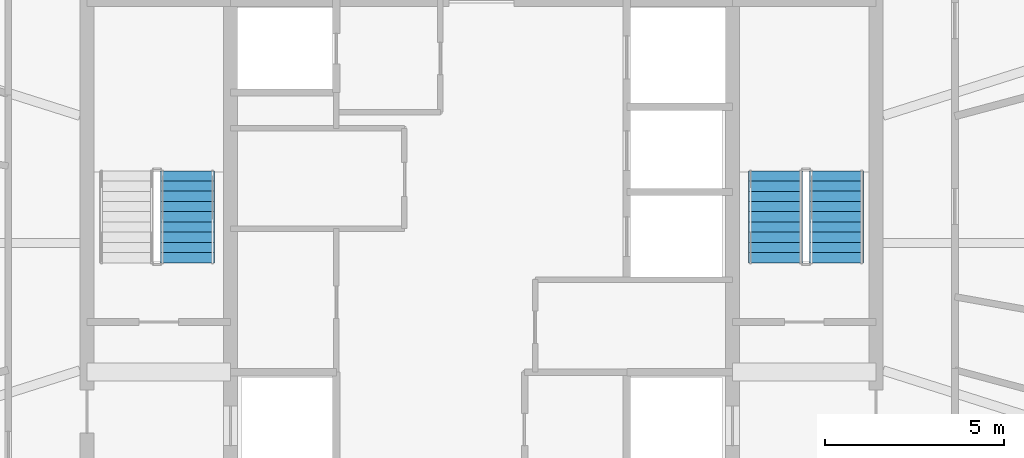
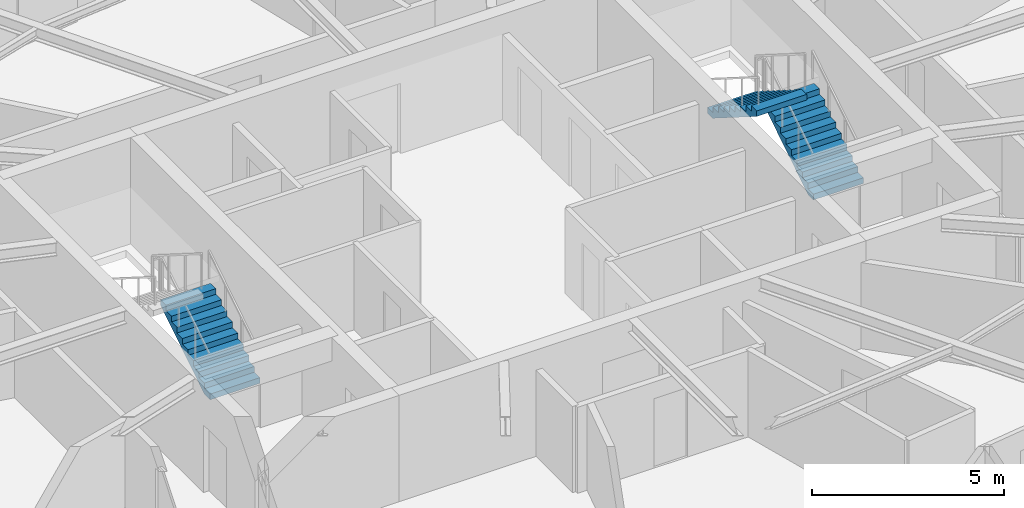
# One storey, part 20 of 23: 3 stair flights, 2 elements without a shape of their own.
"""IFC4 building model written with IfcOpenShell, lengths in metres."""

import ifcopenshell
import ifcopenshell.guid

model = None  # the IFC model being written
_history = None  # IfcOwnerHistory: only IFC2X3 demands one
_inside = {}  # id of a spatial element -> (the spatial element, [elements in it])
_under = {}  # id of a project, library or spatial element -> (it, [spatial elements below it])
_declared = {}  # id of a project -> (the project, [libraries it declares])
_typed = {}  # id of a type object -> (the type object, [elements of that type])
_made_of = {}  # id of a material, layer set ... -> (it, [elements and type objects made of it])


def new_model(schema):
    """Start an empty IFC model of exactly this schema.

    Asked for "IFC4X3", IfcOpenShell would pick the latest addendum, in which some entities
    have other attributes; the version numbers below select the first issue.
    IFC2X3 requires an IfcOwnerHistory on every rooted entity: one is made here for all.
    """
    global model, _history
    if schema == "IFC4X3":
        model = ifcopenshell.file(schema_version=(4, 3, 0, 0))
    else:
        model = ifcopenshell.file(schema=schema)
    _inside.clear()
    _under.clear()
    _declared.clear()
    _typed.clear()
    _made_of.clear()
    _history = None
    if model.schema == "IFC2X3":
        org = make("IfcOrganization", Name="unknown")
        user = make(
            "IfcPersonAndOrganization",
            ThePerson=make("IfcPerson", FamilyName="unknown"),
            TheOrganization=org,
        )
        app = make(
            "IfcApplication",
            ApplicationDeveloper=org,
            Version="unknown",
            ApplicationFullName="unknown",
            ApplicationIdentifier="unknown",
        )
        _history = make(
            "IfcOwnerHistory",
            OwningUser=user,
            OwningApplication=app,
            ChangeAction="ADDED",
            CreationDate=0,
        )
    return model


def make(cls, **values):
    """One entity of the class cls with the attributes given. An attribute that is None is left unset."""
    return model.create_entity(
        cls, **{name: value for name, value in values.items() if value is not None}
    )


def rooted(cls, **values):
    """An entity with a GlobalId (a new one), such as an element, a storey or a relation."""
    return make(cls, GlobalId=ifcopenshell.guid.new(), OwnerHistory=_history, **values)


def si_unit(unit_type, name, prefix=None):
    """IfcSIUnit, for example si_unit("LENGTHUNIT", "METRE", prefix="MILLI")."""
    return make("IfcSIUnit", UnitType=unit_type, Prefix=prefix, Name=name)


def assignment(units):
    """IfcUnitAssignment: the units of a project."""
    return None if units is None else make("IfcUnitAssignment", Units=units)


def point(xyz):
    """IfcCartesianPoint."""
    return None if xyz is None else make("IfcCartesianPoint", Coordinates=xyz)


def direction(xyz):
    """IfcDirection."""
    return None if xyz is None else make("IfcDirection", DirectionRatios=xyz)


def frame(location, z_axis=None, x_axis=None):
    """IfcAxis2Placement3D, a coordinate frame: its origin and axes. An axis left out is left unset."""
    return make(
        "IfcAxis2Placement3D",
        Location=point(location),
        Axis=direction(z_axis),
        RefDirection=direction(x_axis),
    )


def origin():
    """The frame at (0, 0, 0) with its axes left unset."""
    return frame((0.0, 0.0, 0.0))


def place(relative_to, where):
    """IfcLocalPlacement: puts the frame where relative to a parent placement (None: the world)."""
    return make(
        "IfcLocalPlacement", PlacementRelTo=relative_to, RelativePlacement=where
    )


def context(
    kind, dimensions, precision=None, world=None, true_north=None, identifier=None
):
    """IfcGeometricRepresentationContext, for example the 3D "Model" context."""
    return make(
        "IfcGeometricRepresentationContext",
        ContextIdentifier=identifier,
        ContextType=kind,
        CoordinateSpaceDimension=dimensions,
        Precision=precision,
        WorldCoordinateSystem=world,
        TrueNorth=true_north,
    )


def subcontext(parent, identifier, kind, view, scale=None):
    """IfcGeometricRepresentationSubContext, for example "Body" below "Model"."""
    return make(
        "IfcGeometricRepresentationSubContext",
        ContextIdentifier=identifier,
        ContextType=kind,
        ParentContext=parent,
        TargetScale=scale,
        TargetView=view,
    )


def project(units=None, contexts=None):
    """IfcProject with its units and contexts."""
    return rooted(
        "IfcProject",
        Name="project",
        RepresentationContexts=contexts,
        UnitsInContext=assignment(units),
    )


def spatial(cls, under=None, at=None, **own):
    """A site, building, storey or space (cls), placed at a placement, below another one or the project."""
    s = rooted(cls, ObjectPlacement=at, **own)
    if under is not None:
        _under.setdefault(under.id(), (under, []))[1].append(s)
    return s


def polyline(points):
    """IfcPolyline through the points."""
    return make("IfcPolyline", Points=[point(p) for p in points])


def outline(outer, holes=None, kind="AREA"):
    """IfcArbitraryClosedProfileDef: a profile drawn as a closed curve; with holes, ...WithVoids."""
    if holes is None:
        return make("IfcArbitraryClosedProfileDef", ProfileType=kind, OuterCurve=outer)
    return make(
        "IfcArbitraryProfileDefWithVoids",
        ProfileType=kind,
        OuterCurve=outer,
        InnerCurves=holes,
    )


def extrude(swept, where, along, depth):
    """IfcExtrudedAreaSolid: the profile swept, set in the frame where, extruded along a direction by depth."""
    return make(
        "IfcExtrudedAreaSolid",
        SweptArea=swept,
        Position=where,
        ExtrudedDirection=direction(along),
        Depth=depth,
    )


def shape(context_of_items, identifier, shape_type, items):
    """IfcShapeRepresentation: the items that make up one representation, for example the "Body"."""
    return make(
        "IfcShapeRepresentation",
        ContextOfItems=context_of_items,
        RepresentationIdentifier=identifier,
        RepresentationType=shape_type,
        Items=items,
    )


def material(Name=None, Category=None):
    """IfcMaterial."""
    return make("IfcMaterial", Name=Name, Category=Category)


def made_of(thing, what):
    """Note that an element or type object is made of a material, layer set ...; save() writes the relation."""
    if what is not None:
        _made_of.setdefault(what.id(), (what, []))[1].append(thing)
    return thing


def type_object(cls, material=None, **own):
    """A type object (cls), such as IfcWallType, which elements share."""
    return made_of(rooted(cls, **own), material)


def element(
    cls,
    number,
    at=None,
    inside=None,
    cuts=None,
    type_object=None,
    material=None,
    context=None,
    identifier="Body",
    shape_type=None,
    held_by="IfcProductDefinitionShape",
    body=None,
    shapes=None,
    **own,
):
    """One element of the class cls, such as IfcWall. Its Tag is "e" and its number.

    at: its placement. inside: the storey or other place that contains it. cuts: it is an
    opening in that element (IfcRelVoidsElement). A single representation is given by context,
    identifier, shape_type and body (its items); several are given by shapes. held_by: the class
    of the entity that holds the representations. save() writes the other relations.
    """
    e = rooted(cls, Tag="e%d" % number, ObjectPlacement=at, **own)
    if body is not None:
        shapes = [shape(context, identifier, shape_type, body)]
    if shapes is not None:
        e.Representation = make(held_by, Representations=shapes)
    if inside is not None:
        _inside.setdefault(inside.id(), (inside, []))[1].append(e)
    if cuts is not None:
        rooted(
            "IfcRelVoidsElement", RelatingBuildingElement=cuts, RelatedOpeningElement=e
        )
    if type_object is not None:
        _typed.setdefault(type_object.id(), (type_object, []))[1].append(e)
    return made_of(e, material)


def aggregate(whole, parts):
    """IfcRelAggregates: a whole, such as a stair, and the parts it consists of."""
    return rooted("IfcRelAggregates", RelatingObject=whole, RelatedObjects=parts)


def save(model, path):
    """Write the relations noted so far, then the file.

    IfcRelAggregates (storeys below a building ...), IfcRelContainedInSpatialStructure (elements
    in a storey), IfcRelDefinesByType, IfcRelAssociatesMaterial and IfcRelDeclares: one each for
    every whole, place, type object, material and project.
    """
    for whole, parts in _under.values():
        aggregate(whole, parts)
    for where, things in _inside.values():
        rooted(
            "IfcRelContainedInSpatialStructure",
            RelatedElements=things,
            RelatingStructure=where,
        )
    for kind, things in _typed.values():
        rooted("IfcRelDefinesByType", RelatedObjects=things, RelatingType=kind)
    for what, things in _made_of.values():
        rooted("IfcRelAssociatesMaterial", RelatedObjects=things, RelatingMaterial=what)
    for by, libraries in _declared.values():
        rooted("IfcRelDeclares", RelatingContext=by, RelatedDefinitions=libraries)
    model.write(path)


model = new_model("IFC4")

# Units and contexts
model_context = context("Model", 3, precision=1e-05, world=origin(), true_north=direction((0.0, 1.0)))
body_context = subcontext(model_context, "Body", "Model", "MODEL_VIEW")
ifc_project = project(units=[si_unit("LENGTHUNIT", "METRE"), si_unit("AREAUNIT", "SQUARE_METRE"), si_unit("VOLUMEUNIT", "CUBIC_METRE"), si_unit("PLANEANGLEUNIT", "RADIAN"), si_unit("MASSUNIT", "GRAM", prefix="KILO")], contexts=[model_context])

# Site, building, storey
site_placement = place(None, origin())
site = spatial("IfcSite", under=ifc_project, at=site_placement, CompositionType="ELEMENT")
building_placement = place(site_placement, origin())
building = spatial("IfcBuilding", under=site, at=building_placement, Name="Sarneth Arch Tower", CompositionType="ELEMENT")
storey_placement = place(building_placement, frame((0.0, 0.0, 262.199951171875)))
storey = spatial("IfcBuildingStorey", under=building, at=storey_placement, Name="L67", CompositionType="ELEMENT", Elevation=262.199951171875)

# Stair, stair flight
ifc_material_1 = material(Name="Concrete C50/60", Category="concrete")
stair_type = type_object("IfcStairType", Name="STAIR-CORE-RC", PredefinedType="HALF_TURN_STAIR", material=ifc_material_1)
stair_1_placement = place(storey_placement, origin())
stair_1 = element("IfcStair", 1, at=stair_1_placement, inside=storey, type_object=stair_type, Name="L67 Core Exit Stair 1", PredefinedType="HALF_TURN_STAIR")
ifc_material_2 = material(Name="Concrete C50/60", Category="concrete")
stair_flight_type = type_object("IfcStairFlightType", Name="FLIGHT-RC-1500", PredefinedType="STRAIGHT", material=ifc_material_2)
stair_flight_1_placement = place(storey_placement, frame((39.800048828125, 41.449951171875, 0.0), z_axis=(0.0, 0.0, 1.0), x_axis=(0.0, 1.0, 0.0)))
stair_flight_1 = element("IfcStairFlight", 2, at=stair_flight_1_placement, type_object=stair_flight_type, Name="ST-1 flight 1", NumberOfRisers=10, NumberOfTreads=9, PredefinedType="STRAIGHT", RiserHeight=0.18, TreadLength=0.285, context=body_context, shape_type="SweptSolid", body=[
    extrude(outline(polyline([(0.0, 0.0), (0.0, 0.179931640625), (0.284912109375, 0.179931640625), (0.284912109375, 0.360107421875), (0.570068359375, 0.360107421875), (0.570068359375, 0.5400390625), (0.85498046875, 0.5400390625), (0.85498046875, 0.719970703125), (1.139892578125, 0.719970703125), (1.139892578125, 0.89990234375), (1.425048828125, 0.89990234375), (1.425048828125, 1.080078125), (1.7099609375, 1.080078125), (1.7099609375, 1.260009765625), (1.9951171875, 1.260009765625), (1.9951171875, 1.43994140625), (2.280029296875, 1.43994140625), (2.280029296875, 1.6201171875), (2.56494140625, 1.6201171875), (2.56494140625, 1.800048828125), (2.56494140625, 1.442626953125), (0.28076171875, 0.0), (0.0, 0.0)])), frame((0.0, 0.75, 0.0), z_axis=(0.0, -1.0, 0.0), x_axis=(1.0, 0.0, 0.0)), (0.0, 0.0, 1.0), 1.5),
])
aggregate(stair_1, [stair_flight_1])

# Stair, stair flights
stair_2_placement = place(storey_placement, origin())
stair_2 = element("IfcStair", 3, at=stair_2_placement, inside=storey, type_object=stair_type, Name="L67 Core Exit Stair 2", PredefinedType="HALF_TURN_STAIR")
stair_flight_2_placement = place(storey_placement, frame((57.89990234375, 41.449951171875, 0.0), z_axis=(0.0, 0.0, 1.0), x_axis=(0.0, 1.0, 0.0)))
stair_flight_2 = element("IfcStairFlight", 4, at=stair_flight_2_placement, type_object=stair_flight_type, Name="ST-2 flight 1", NumberOfRisers=10, NumberOfTreads=9, PredefinedType="STRAIGHT", RiserHeight=0.18, TreadLength=0.285, context=body_context, shape_type="SweptSolid", body=[
    extrude(outline(polyline([(0.0, 0.0), (0.0, 0.179931640625), (0.284912109375, 0.179931640625), (0.284912109375, 0.360107421875), (0.570068359375, 0.360107421875), (0.570068359375, 0.5400390625), (0.85498046875, 0.5400390625), (0.85498046875, 0.719970703125), (1.139892578125, 0.719970703125), (1.139892578125, 0.89990234375), (1.425048828125, 0.89990234375), (1.425048828125, 1.080078125), (1.7099609375, 1.080078125), (1.7099609375, 1.260009765625), (1.9951171875, 1.260009765625), (1.9951171875, 1.43994140625), (2.280029296875, 1.43994140625), (2.280029296875, 1.6201171875), (2.56494140625, 1.6201171875), (2.56494140625, 1.800048828125), (2.56494140625, 1.442626953125), (0.28076171875, 0.0), (0.0, 0.0)])), frame((0.0, 0.75, 0.0), z_axis=(0.0, -1.0, 0.0), x_axis=(1.0, 0.0, 0.0)), (0.0, 0.0, 1.0), 1.5),
])
stair_flight_3_placement = place(storey_placement, frame((56.199951171875, 44.014892578125, 1.800048828125), z_axis=(0.0, 0.0, 1.0), x_axis=(0.0, -1.0, 0.0)))
stair_flight_3 = element("IfcStairFlight", 5, at=stair_flight_3_placement, type_object=stair_flight_type, Name="ST-2 flight 2", NumberOfRisers=10, NumberOfTreads=9, PredefinedType="STRAIGHT", RiserHeight=0.18, TreadLength=0.285, context=body_context, shape_type="SweptSolid", body=[
    extrude(outline(polyline([(0.0, 0.0), (0.0, 0.179931640625), (0.284912109375, 0.179931640625), (0.284912109375, 0.360107421875), (0.570068359375, 0.360107421875), (0.570068359375, 0.5400390625), (0.85498046875, 0.5400390625), (0.85498046875, 0.719970703125), (1.139892578125, 0.719970703125), (1.139892578125, 0.89990234375), (1.425048828125, 0.89990234375), (1.425048828125, 1.080078125), (1.7099609375, 1.080078125), (1.7099609375, 1.260009765625), (1.9951171875, 1.260009765625), (1.9951171875, 1.43994140625), (2.280029296875, 1.43994140625), (2.280029296875, 1.6201171875), (2.56494140625, 1.6201171875), (2.56494140625, 1.800048828125), (2.56494140625, 1.442626953125), (0.28076171875, 0.0), (0.0, 0.0)])), frame((0.0, 0.75, 0.0), z_axis=(0.0, -1.0, 0.0), x_axis=(1.0, 0.0, 0.0)), (0.0, 0.0, 1.0), 1.5),
])
aggregate(stair_2, [stair_flight_2, stair_flight_3])

save(model, "model.ifc")
